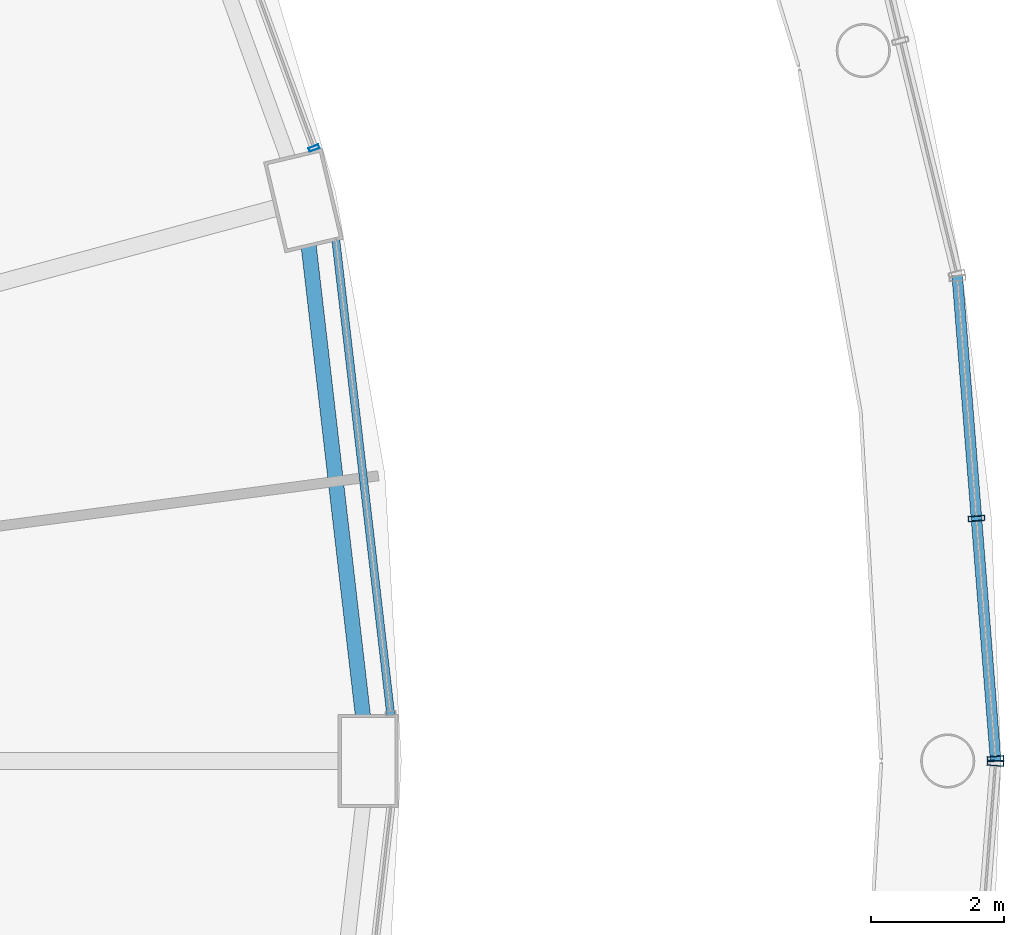
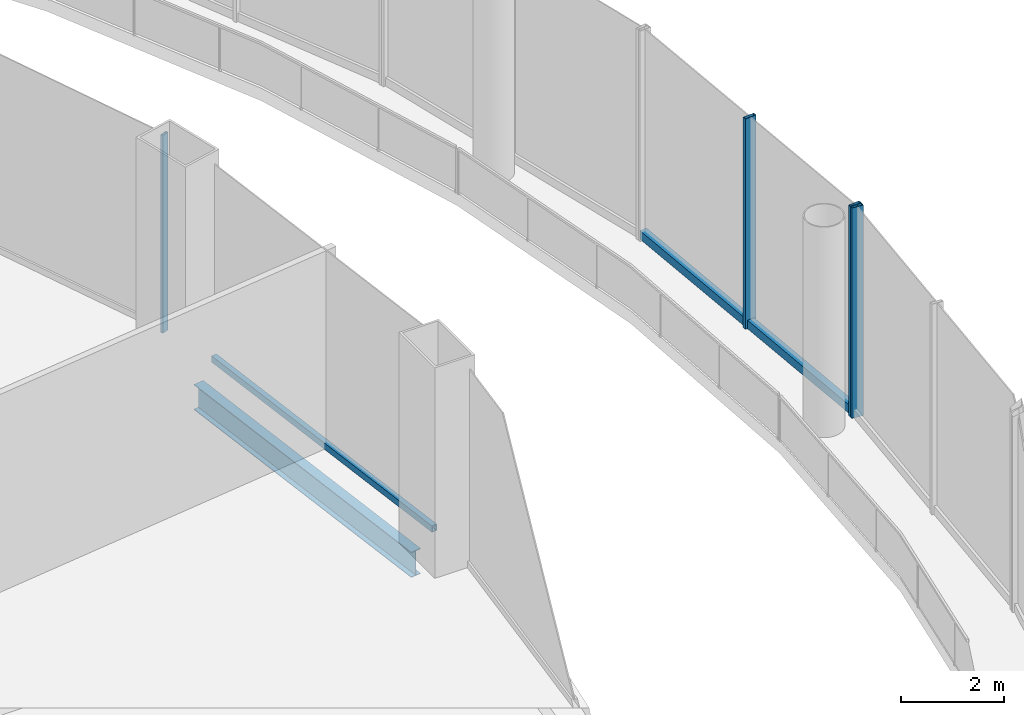
# One storey, part 26 of 47: 6 members, 1 beam, 4 elements without a shape of their own.
"""IFC4 building model written with IfcOpenShell, lengths in metres."""

from ifc_helpers import new_model, si_unit, direction, frame, origin, origin_2d, place, context, subcontext, project, spatial, hollow_rectangle, i_section, extrude, material, layer, layer_set, material_profile, profile_set, type_object, element, aggregate, save


model = new_model("IFC4")

# Units and contexts
model_context = context("Model", 3, precision=1e-05, world=origin(), true_north=direction((0.0, 1.0)))
body_context = subcontext(model_context, "Body", "Model", "MODEL_VIEW")
ifc_project = project(units=[si_unit("LENGTHUNIT", "METRE"), si_unit("AREAUNIT", "SQUARE_METRE"), si_unit("VOLUMEUNIT", "CUBIC_METRE"), si_unit("PLANEANGLEUNIT", "RADIAN"), si_unit("MASSUNIT", "GRAM", prefix="KILO")], contexts=[model_context])

# Site, building, storey
site_placement = place(None, origin())
site = spatial("IfcSite", under=ifc_project, at=site_placement, CompositionType="ELEMENT")
building_placement = place(site_placement, origin())
building = spatial("IfcBuilding", under=site, at=building_placement, Name="Nagisa Residences", CompositionType="ELEMENT")
storey_placement = place(building_placement, frame((0.0, 0.0, 7.0)))
storey = spatial("IfcBuildingStorey", under=building, at=storey_placement, Name="L01", CompositionType="ELEMENT", Elevation=7.0)

# Curtain wall, members
ifc_material_1 = material(Name="Stainless steel curtain wall system", Category="steel")
ifc_layer_1 = layer(ifc_material_1, 0.159912109375)
ifc_layer_set_1 = layer_set([ifc_layer_1], Name="CW3 CURTAIN WALL")
curtain_wall_type_1 = type_object("IfcCurtainWallType", Name="CW3 CURTAIN WALL", PredefinedType="NOTDEFINED", material=ifc_layer_set_1)
curtain_wall_1_placement = place(storey_placement, origin())
curtain_wall_1 = element("IfcCurtainWall", 1, at=curtain_wall_1_placement, inside=storey, type_object=curtain_wall_type_1, Name="cw:CW3:L01:00", PredefinedType="NOTDEFINED")
ifc_material_2 = material(Name="Stainless steel", Category="steel")
ifc_material_profile_1 = material_profile(ifc_material_2, hollow_rectangle(XDim=0.25, YDim=0.080078125, WallThickness=0.008056640625, at=origin_2d()), Name="CW3 MULLION 250x80")
ifc_profile_set_1 = profile_set([ifc_material_profile_1], Name="Stainless steel")
member_type_1 = type_object("IfcMemberType", Name="CW3 MULLION 250x80", PredefinedType="MULLION", material=ifc_profile_set_1)
member_1_placement = place(storey_placement, frame((41.51708984375, 0.033447265625, 0.0), z_axis=(0.0, 0.0, 1.0), x_axis=(-0.996881777235, -0.078909582539, 0.0)))
member_1 = element("IfcMember", 2, at=member_1_placement, type_object=member_type_1, Name="CW3 mullion", PredefinedType="MULLION", context=body_context, shape_type="SweptSolid", body=[
    extrude(hollow_rectangle(XDim=0.25, YDim=0.080078125, WallThickness=0.008056640625, at=origin_2d()), origin(), (0.0, 0.0, 1.0), 5.0),
])
member_2_placement = place(storey_placement, frame((41.231689453125, 3.640380859375, 0.0), z_axis=(0.0, 0.0, 1.0), x_axis=(-0.996881777235, -0.078909582539, 0.0)))
member_2 = element("IfcMember", 3, at=member_2_placement, type_object=member_type_1, Name="CW3 mullion", PredefinedType="MULLION", context=body_context, shape_type="SweptSolid", body=[
    extrude(hollow_rectangle(XDim=0.25, YDim=0.080078125, WallThickness=0.008056640625, at=origin_2d()), origin(), (0.0, 0.0, 1.0), 5.0),
])

# Curtain wall, member
curtain_wall_2_placement = place(storey_placement, origin())
curtain_wall_2 = element("IfcCurtainWall", 4, at=curtain_wall_2_placement, inside=storey, type_object=curtain_wall_type_1, Name="cw:CW3:L01:35", PredefinedType="NOTDEFINED")
member_3_placement = place(storey_placement, frame((41.51708984375, -0.033447265625, 0.0), z_axis=(0.0, 0.0, 1.0), x_axis=(-0.996881777235, 0.078909582539, 0.0)))
member_3 = element("IfcMember", 5, at=member_3_placement, type_object=member_type_1, Name="CW3 mullion", PredefinedType="MULLION", context=body_context, shape_type="SweptSolid", body=[
    extrude(hollow_rectangle(XDim=0.25, YDim=0.080078125, WallThickness=0.008056640625, at=origin_2d()), origin(), (0.0, 0.0, 1.0), 5.0),
])
aggregate(curtain_wall_2, [member_3])

# Member
ifc_material_3 = material(Name="Stainless steel", Category="steel")
ifc_material_profile_2 = material_profile(ifc_material_3, hollow_rectangle(XDim=0.159912109375, YDim=0.199951171875, WallThickness=0.008056640625, at=origin_2d()), Name="CW3 TRANSOM 160x200")
ifc_profile_set_2 = profile_set([ifc_material_profile_2], Name="Stainless steel")
member_type_2 = type_object("IfcMemberType", Name="CW3 TRANSOM 160x200", PredefinedType="USERDEFINED", material=ifc_profile_set_2)
member_4_placement = place(storey_placement, frame((41.520263671875, -0.00634765625, 0.10009765625), z_axis=(-0.078921540002, 0.996880830653, 0.0), x_axis=(-0.996880830653, -0.078921540002, 0.0)))
member_4 = element("IfcMember", 6, at=member_4_placement, type_object=member_type_2, Name="CW3 transom", ObjectType="TRANSOM", PredefinedType="USERDEFINED", context=body_context, shape_type="SweptSolid", body=[
    extrude(hollow_rectangle(XDim=0.159912109375, YDim=0.199951171875, WallThickness=0.008056640625, at=origin_2d()), origin(), (0.0, 0.0, 1.0), 7.31591796875),
])

aggregate(curtain_wall_1, [member_1, member_2, member_4])

# Curtain wall, member
ifc_material_4 = material(Name="Stainless steel curtain wall system", Category="steel")
ifc_layer_2 = layer(ifc_material_4, 0.159912109375)
ifc_layer_set_2 = layer_set([ifc_layer_2], Name="CW6 CURTAIN WALL")
curtain_wall_type_2 = type_object("IfcCurtainWallType", Name="CW6 CURTAIN WALL", PredefinedType="NOTDEFINED", material=ifc_layer_set_2)
curtain_wall_3_placement = place(storey_placement, origin())
curtain_wall_3 = element("IfcCurtainWall", 7, at=curtain_wall_3_placement, inside=storey, type_object=curtain_wall_type_2, Name="cw:CW6:L01:02", PredefinedType="NOTDEFINED")
ifc_material_5 = material(Name="Stainless steel", Category="steel")
ifc_material_profile_3 = material_profile(ifc_material_5, hollow_rectangle(XDim=0.159912109375, YDim=0.06005859375, WallThickness=0.006103515625, at=origin_2d()), Name="CW6 MULLION 160x60")
ifc_profile_set_3 = profile_set([ifc_material_profile_3], Name="Stainless steel")
member_type_3 = type_object("IfcMemberType", Name="CW6 MULLION 160x60", PredefinedType="MULLION", material=ifc_profile_set_3)
member_5_placement = place(storey_placement, frame((31.286865234375, 9.19970703125, 0.0), z_axis=(0.0, 0.0, 1.0), x_axis=(-0.939681861718, -0.342049702176, 0.0)))
member_5 = element("IfcMember", 8, at=member_5_placement, type_object=member_type_3, Name="CW6 mullion", PredefinedType="MULLION", context=body_context, shape_type="SweptSolid", body=[
    extrude(hollow_rectangle(XDim=0.159912109375, YDim=0.06005859375, WallThickness=0.006103515625, at=origin_2d()), origin(), (0.0, 0.0, 1.0), 4.699951171875),
])
aggregate(curtain_wall_3, [member_5])

curtain_wall_4_placement = place(storey_placement, origin())
curtain_wall_4 = element("IfcCurtainWall", 9, at=curtain_wall_4_placement, inside=storey, type_object=curtain_wall_type_2, Name="cw:CW6:L01:00", PredefinedType="NOTDEFINED")
ifc_material_6 = material(Name="Stainless steel", Category="steel")
ifc_material_profile_4 = material_profile(ifc_material_6, hollow_rectangle(XDim=0.1201171875, YDim=0.14990234375, WallThickness=0.008056640625, at=origin_2d()), Name="CW6 TRANSOM 120x150")
ifc_profile_set_4 = profile_set([ifc_material_profile_4], Name="Stainless steel")
member_type_4 = type_object("IfcMemberType", Name="CW6 TRANSOM 120x150", PredefinedType="USERDEFINED", material=ifc_profile_set_4)
member_6_placement = place(storey_placement, frame((32.440185546875, 0.686279296875, 0.074951171875), z_axis=(-0.114949818518, 0.993371299778, 0.0), x_axis=(-0.993371299778, -0.114949818518, 0.0)))
member_6 = element("IfcMember", 10, at=member_6_placement, type_object=member_type_4, Name="CW6 transom", ObjectType="TRANSOM", PredefinedType="USERDEFINED", context=body_context, shape_type="SweptSolid", body=[
    extrude(hollow_rectangle(XDim=0.1201171875, YDim=0.14990234375, WallThickness=0.008056640625, at=origin_2d()), origin(), (0.0, 0.0, 1.0), 7.19775390625),
])
aggregate(curtain_wall_4, [member_6])

# Beam
ifc_material_7 = material(Name="Steel ASTM A572 Gr 50", Category="steel")
ifc_material_profile_5 = material_profile(ifc_material_7, i_section(OverallWidth=0.22802734375, OverallDepth=0.60302734375, WebThickness=0.010498046875, FlangeThickness=0.014892578125, at=origin_2d()), Name="W610x101")
ifc_profile_set_5 = profile_set([ifc_material_profile_5], Name="Steel ASTM A572 Gr 50")
beam_type = type_object("IfcBeamType", Name="Perimeter ring beam W610x101", PredefinedType="BEAM", material=ifc_profile_set_5)
beam_placement = place(storey_placement, frame((32.021484375, 0.68017578125, -0.6015625), z_axis=(-0.114673717321, 0.993403210462, 0.0), x_axis=(-0.993403210462, -0.114673717321, 0.0)))
element("IfcBeam", 11, at=beam_placement, inside=storey, type_object=beam_type, Name="beam:L01:pb01", PredefinedType="BEAM", context=body_context, shape_type="SweptSolid", body=[
    extrude(i_section(OverallWidth=0.22802734375, OverallDepth=0.60302734375, WebThickness=0.010498046875, FlangeThickness=0.014892578125, at=origin_2d()), origin(), (0.0, 0.0, 1.0), 7.09814453125),
])

save(model, "model.ifc")
